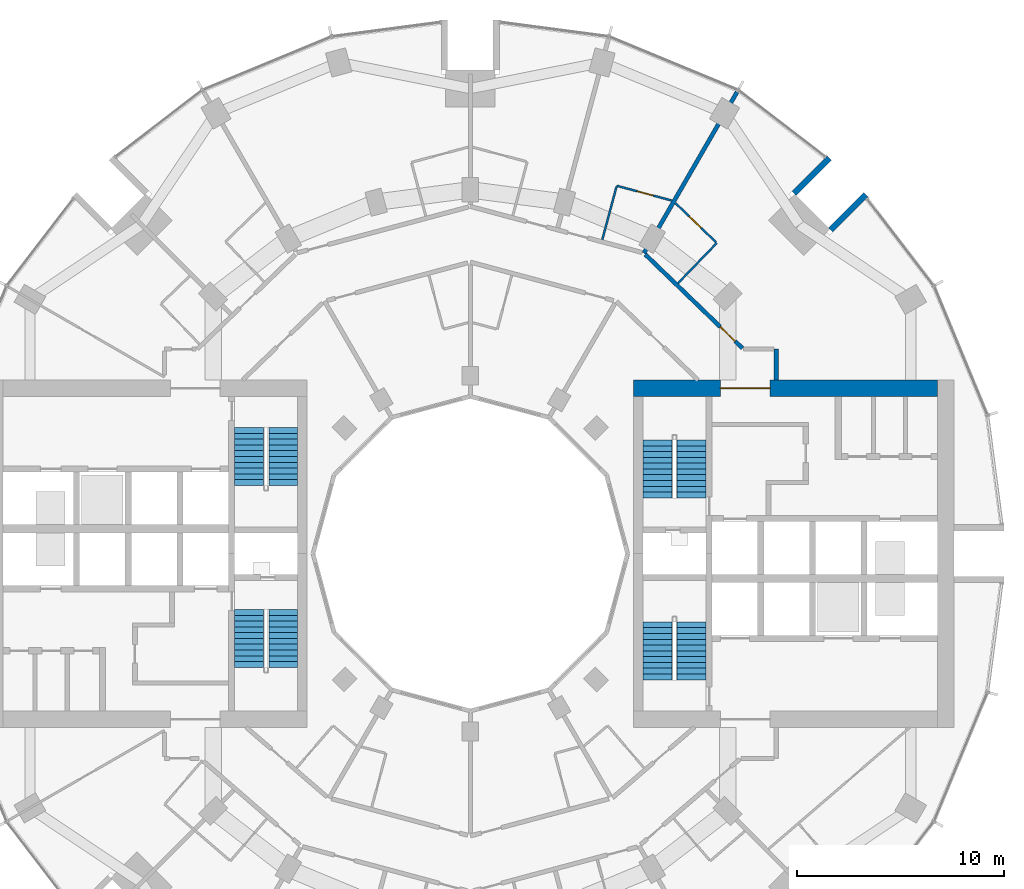
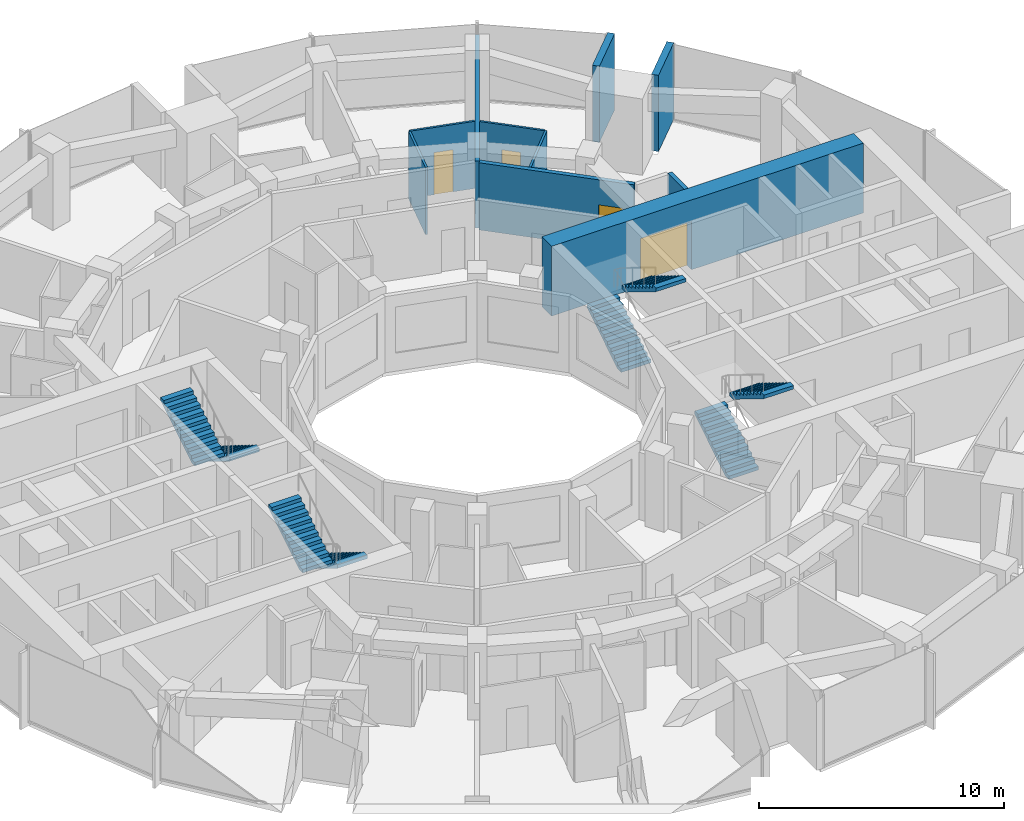
# One storey, part 13 of 15: 10 walls, 8 stair flights, 4 doors, 4 openings, 4 elements without a shape of their own.
"""IFC4 building model written with IfcOpenShell, lengths in metres."""

from ifc_helpers import new_model, si_unit, direction, frame, frame_2d, origin, place, context, subcontext, project, spatial, polyline, rectangle, outline, extrude, material, layer, layer_set, type_object, element, fill, aggregate, save


model = new_model("IFC4")

# Units and contexts
model_context = context("Model", 3, precision=1e-05, world=origin(), true_north=direction((0.0, 1.0)))
body_context = subcontext(model_context, "Body", "Model", "MODEL_VIEW")
ifc_project = project(units=[si_unit("LENGTHUNIT", "METRE"), si_unit("AREAUNIT", "SQUARE_METRE"), si_unit("VOLUMEUNIT", "CUBIC_METRE"), si_unit("PLANEANGLEUNIT", "RADIAN"), si_unit("MASSUNIT", "GRAM", prefix="KILO")], contexts=[model_context])

# Site, building, storey
site_placement = place(None, origin())
site = spatial("IfcSite", under=ifc_project, at=site_placement, CompositionType="ELEMENT")
building_placement = place(site_placement, origin())
building = spatial("IfcBuilding", under=site, at=building_placement, Name="Torre Brocal", CompositionType="ELEMENT")
storey_placement = place(building_placement, frame((0.0, 0.0, 51.60009765625)))
storey = spatial("IfcBuildingStorey", under=building, at=storey_placement, Name="L11", CompositionType="ELEMENT", Elevation=51.60009765625)

# Wall, opening, door
ifc_material_1 = material(Name="Concrete C80", Category="concrete")
ifc_layer_1 = layer(ifc_material_1, 0.800048828125)
ifc_layer_set_1 = layer_set([ifc_layer_1], Name="Concrete C80")
wall_type_1 = type_object("IfcWallType", Name="CORE WALL 800 C80", PredefinedType="SHEAR", material=ifc_layer_set_1)
wall_1_placement = place(storey_placement, frame((87.89990234375, 83.0, 0.0), z_axis=(0.0, 0.0, 1.0), x_axis=(1.0, 0.0, 0.0)))
wall_1 = element("IfcWall", 1, at=wall_1_placement, inside=storey, type_object=wall_type_1, Name="Wall CW800-80", PredefinedType="SHEAR", context=body_context, shape_type="SweptSolid", body=[
    extrude(rectangle(XDim=14.7001953125, YDim=0.800048828125, at=frame_2d((7.35009765625, 0.0))), origin(), (0.0, 0.0, 1.0), 3.47998046875),
])
opening_1_placement = place(wall_1_placement, frame((4.199951171875, 0.0, 0.0)))
opening_1 = element("IfcOpeningElement", 2, at=opening_1_placement, cuts=wall_1, Name="Opening E-D27", PredefinedType="OPENING", context=body_context, shape_type="SweptSolid", body=[
    extrude(rectangle(XDim=2.39990234375, YDim=2.39990234375, at=frame_2d((1.199951171875, 1.199951171875))), frame((0.0, 0.409912109375, 0.0), z_axis=(0.0, -1.0, 0.0), x_axis=(1.0, 0.0, 0.0)), (0.0, 0.0, 1.0), 0.820068359375),
])
ifc_material_2 = material(Name="Steel A653", Category="steel")
door_type_1 = type_object("IfcDoorType", Name="DOUBLE FIRE DOOR FD90 2400X2400", OperationType="DOUBLE_DOOR_SINGLE_SWING", PredefinedType="DOOR", material=ifc_material_2)
door_1_placement = place(opening_1_placement, frame((2.39990234375, 0.0, 0.0), z_axis=(0.0, 0.0, 1.0), x_axis=(-1.0, 0.0, 0.0)))
door_1 = element("IfcDoor", 3, at=door_1_placement, inside=storey, type_object=door_type_1, Name="Door E-D27", OperationType="DOUBLE_DOOR_SINGLE_SWING", OverallHeight=2.39990234375, OverallWidth=2.39990234375, PredefinedType="DOOR", context=body_context, shape_type="SweptSolid", body=[
    extrude(rectangle(XDim=2.39990234375, YDim=2.39990234375, at=frame_2d((1.199951171875, 1.199951171875))), frame((0.0, 0.02490234375, 0.0), z_axis=(0.0, -1.0, 0.0), x_axis=(1.0, 0.0, 0.0)), (0.0, 0.0, 1.0), 0.050048828125),
])
fill(opening_1, door_1)

# Walls
ifc_material_3 = material(Name="Concrete C80", Category="concrete")
ifc_layer_2 = layer(ifc_material_3, 0.300048828125)
ifc_layer_set_2 = layer_set([ifc_layer_2], Name="Concrete C80")
wall_type_2 = type_object("IfcWallType", Name="NOTCH RETURN WALL 300 C80", PredefinedType="NOTDEFINED", material=ifc_layer_set_2)
for number, where, z_axis, x_axis, name in (
    (4, (97.43017578125, 90.662353515625, 0.0), (0.0, 0.0, 1.0), (0.707106781187, 0.707106781187, 0.0), "NOTCH RETURN WALL"),
    (5, (95.662353515625, 92.43017578125, 0.0), (0.0, 0.0, 1.0), (0.707106781187, 0.707106781187, 0.0), "NOTCH RETURN WALL"),
):
    element("IfcWall", number, at=place(storey_placement, frame(where, z_axis=z_axis, x_axis=x_axis)), inside=storey, type_object=wall_type_2, Name=name, PredefinedType="NOTDEFINED", context=body_context, shape_type="SweptSolid", body=[
        extrude(rectangle(XDim=2.415771484375, YDim=0.300048828125, at=frame_2d((1.2080078125, 0.0))), origin(), (0.0, 0.0, 1.0), 3.7998046875),
    ])
ifc_material_4 = material(Name="Gypsum board", Category="Gypsum")
ifc_layer_3 = layer(ifc_material_4, 0.10009765625)
ifc_layer_set_3 = layer_set([ifc_layer_3], Name="Gypsum board")
wall_type_3 = type_object("IfcWallType", Name="PARTITION 100", PredefinedType="PARTITIONING", material=ifc_layer_set_3)
wall_2_placement = place(storey_placement, frame((86.3837890625, 90.189697265625, 0.0), z_axis=(0.0, 0.0, 1.0), x_axis=(0.258677737588, 0.965963678446, 0.0)))
element("IfcWall", 6, at=wall_2_placement, inside=storey, type_object=wall_type_3, Name="BATHROOM WALL", PredefinedType="PARTITIONING", context=body_context, shape_type="SweptSolid", body=[
    extrude(rectangle(XDim=2.649169921875, YDim=0.10009765625, at=frame_2d((1.32470703125, 0.0))), origin(), (0.0, 0.0, 1.0), 3.349853515625),
])

# Wall, opening, door
wall_3_placement = place(storey_placement, frame((87.081787109375, 92.796875, 0.0), z_axis=(0.0, 0.0, 1.0), x_axis=(0.965892621415, -0.258942935598, 0.0)))
wall_3 = element("IfcWall", 7, at=wall_3_placement, inside=storey, type_object=wall_type_3, Name="BATHROOM WALL", PredefinedType="PARTITIONING", context=body_context, shape_type="SweptSolid", body=[
    extrude(rectangle(XDim=2.753173828125, YDim=0.10009765625, at=frame_2d((1.37646484375, 0.0))), origin(), (0.0, 0.0, 1.0), 3.349853515625),
])
opening_2_placement = place(wall_3_placement, frame((1.03173828125, 0.0, 0.0)))
opening_2 = element("IfcOpeningElement", 8, at=opening_2_placement, cuts=wall_3, Name="Opening H03-D04", PredefinedType="OPENING", context=body_context, shape_type="SweptSolid", body=[
    extrude(rectangle(XDim=0.800048828125, YDim=2.10009765625, at=frame_2d((0.39990234375, 1.050048828125))), frame((0.0, 0.06005859375, 0.0), z_axis=(0.0, -1.0, 0.0), x_axis=(1.0, 0.0, 0.0)), (0.0, 0.0, 1.0), 0.1201171875),
])
ifc_material_5 = material(Name="Timber", Category="wood")
door_type_2 = type_object("IfcDoorType", Name="BATHROOM DOOR 800X2100", OperationType="SINGLE_SWING_LEFT", PredefinedType="DOOR", material=ifc_material_5)
door_2_placement = place(opening_2_placement, frame((0.800048828125, 0.0, 0.0), z_axis=(0.0, 0.0, 1.0), x_axis=(-1.0, 0.0, 0.0)))
door_2 = element("IfcDoor", 9, at=door_2_placement, inside=storey, type_object=door_type_2, Name="H03-D04", OperationType="SINGLE_SWING_LEFT", OverallHeight=2.10009765625, OverallWidth=0.800048828125, PredefinedType="DOOR", context=body_context, shape_type="SweptSolid", body=[
    extrude(rectangle(XDim=0.800048828125, YDim=2.10009765625, at=frame_2d((0.39990234375, 1.050048828125))), frame((0.0, 0.02490234375, 0.0), z_axis=(0.0, -1.0, 0.0), x_axis=(1.0, 0.0, 0.0)), (0.0, 0.0, 1.0), 0.050048828125),
])
fill(opening_2, door_2)

wall_4_placement = place(storey_placement, frame((89.9248046875, 91.956298828125, 0.0), z_axis=(0.0, 0.0, 1.0), x_axis=(0.719395291255, -0.694600903339, 0.0)))
wall_4 = element("IfcWall", 10, at=wall_4_placement, inside=storey, type_object=wall_type_3, Name="BATHROOM WALL", PredefinedType="PARTITIONING", context=body_context, shape_type="SweptSolid", body=[
    extrude(rectangle(XDim=2.7275390625, YDim=0.10009765625, at=frame_2d((1.36376953125, 0.0))), origin(), (0.0, 0.0, 1.0), 3.349853515625),
])
opening_3_placement = place(wall_4_placement, frame((0.928466796875, 0.0, 0.0)))
opening_3 = element("IfcOpeningElement", 11, at=opening_3_placement, cuts=wall_4, Name="Opening H03-D02", PredefinedType="OPENING", context=body_context, shape_type="SweptSolid", body=[
    extrude(rectangle(XDim=0.800048828125, YDim=2.10009765625, at=frame_2d((0.39990234375, 1.050048828125))), frame((0.0, 0.06005859375, 0.0), z_axis=(0.0, -1.0, 0.0), x_axis=(1.0, 0.0, 0.0)), (0.0, 0.0, 1.0), 0.1201171875),
])
door_3_placement = place(opening_3_placement, frame((0.800048828125, 0.0, 0.0), z_axis=(0.0, 0.0, 1.0), x_axis=(-1.0, 0.0, 0.0)))
door_3 = element("IfcDoor", 12, at=door_3_placement, inside=storey, type_object=door_type_2, Name="H03-D02", OperationType="SINGLE_SWING_RIGHT", OverallHeight=2.10009765625, OverallWidth=0.800048828125, PredefinedType="DOOR", context=body_context, shape_type="SweptSolid", body=[
    extrude(rectangle(XDim=0.800048828125, YDim=2.10009765625, at=frame_2d((0.39990234375, 1.050048828125))), frame((0.0, 0.02490234375, 0.0), z_axis=(0.0, -1.0, 0.0), x_axis=(1.0, 0.0, 0.0)), (0.0, 0.0, 1.0), 0.050048828125),
])
fill(opening_3, door_3)

# Wall
wall_5_placement = place(storey_placement, frame((90.047607421875, 88.0849609375, 0.0), z_axis=(0.0, 0.0, 1.0), x_axis=(0.694655834207, 0.71934224956, 0.0)))
element("IfcWall", 13, at=wall_5_placement, inside=storey, type_object=wall_type_3, Name="BATHROOM WALL", PredefinedType="PARTITIONING", context=body_context, shape_type="SweptSolid", body=[
    extrude(rectangle(XDim=2.699951171875, YDim=0.10009765625, at=frame_2d((1.35009765625, 0.0))), origin(), (0.0, 0.0, 1.0), 3.349853515625),
])

# Wall, opening, door
ifc_material_6 = material(Name="Gypsum board", Category="Gypsum")
ifc_layer_4 = layer(ifc_material_6, 0.199951171875)
ifc_layer_set_4 = layer_set([ifc_layer_4], Name="Gypsum board")
wall_type_4 = type_object("IfcWallType", Name="PARTITION 200 EI60", PredefinedType="PARTITIONING", material=ifc_layer_set_4)
wall_6_placement = place(storey_placement, frame((88.4658203125, 89.47314453125, 0.0), z_axis=(0.0, 0.0, 1.0), x_axis=(0.719346014649, -0.694651935295, 0.0)))
wall_6 = element("IfcWall", 14, at=wall_6_placement, inside=storey, type_object=wall_type_4, Name="GUESTROOM CORRIDOR WALL", PredefinedType="PARTITIONING", context=body_context, shape_type="SweptSolid", body=[
    extrude(rectangle(XDim=6.525146484375, YDim=0.199951171875, at=frame_2d((3.2626953125, 0.0))), origin(), (0.0, 0.0, 1.0), 3.349853515625),
])
opening_4_placement = place(wall_6_placement, frame((5.034423828125, 0.0, 0.0)))
opening_4 = element("IfcOpeningElement", 15, at=opening_4_placement, cuts=wall_6, Name="Opening H03-D01", PredefinedType="OPENING", context=body_context, shape_type="SweptSolid", body=[
    extrude(rectangle(XDim=1.0, YDim=2.10009765625, at=frame_2d((0.5, 1.050048828125))), frame((0.0, 0.10986328125, 0.0), z_axis=(0.0, -1.0, 0.0), x_axis=(1.0, 0.0, 0.0)), (0.0, 0.0, 1.0), 0.219970703125),
])
ifc_material_7 = material(Name="Timber", Category="wood")
door_type_3 = type_object("IfcDoorType", Name="FLAT ENTRY DOOR FD30S 1000X2100", OperationType="SINGLE_SWING_RIGHT", PredefinedType="DOOR", material=ifc_material_7)
door_4_placement = place(opening_4_placement, origin())
door_4 = element("IfcDoor", 16, at=door_4_placement, inside=storey, type_object=door_type_3, Name="H03-D01", OperationType="SINGLE_SWING_RIGHT", OverallHeight=2.10009765625, OverallWidth=1.0, PredefinedType="DOOR", context=body_context, shape_type="SweptSolid", body=[
    extrude(rectangle(XDim=1.0, YDim=2.10009765625, at=frame_2d((0.5, 1.050048828125))), frame((0.0, 0.02490234375, 0.0), z_axis=(0.0, -1.0, 0.0), x_axis=(1.0, 0.0, 0.0)), (0.0, 0.0, 1.0), 0.050048828125),
])
fill(opening_4, door_4)

# Walls
wall_7_placement = place(storey_placement, frame((88.3994140625, 89.538330078125, 0.0), z_axis=(0.0, 0.0, 1.0), x_axis=(0.500249596464, 0.865881251233, 0.0)))
element("IfcWall", 17, at=wall_7_placement, inside=storey, type_object=wall_type_4, Name="BATHROOM WALL", PredefinedType="PARTITIONING", context=body_context, shape_type="SweptSolid", body=[
    extrude(rectangle(XDim=9.00634765625, YDim=0.199951171875, at=frame_2d((4.503173828125, 0.0))), origin(), (0.0, 0.0, 1.0), 3.349853515625),
])
wall_8_placement = place(storey_placement, frame((94.800048828125, 83.40087890625, 0.0), z_axis=(0.0, 0.0, 1.0), x_axis=(0.0, 1.0, 0.0)))
element("IfcWall", 18, at=wall_8_placement, inside=storey, type_object=wall_type_4, Name="GUESTROOM CORRIDOR WALL", PredefinedType="PARTITIONING", context=body_context, shape_type="SweptSolid", body=[
    extrude(rectangle(XDim=1.4990234375, YDim=0.199951171875, at=frame_2d((0.74951171875, 0.0))), origin(), (0.0, 0.0, 1.0), 3.349853515625),
])

# Stair, stair flights
ifc_material_8 = material(Name="Concrete C50", Category="concrete")
stair_type = type_object("IfcStairType", Name="EXIT STAIR", PredefinedType="HALF_TURN_STAIR", material=ifc_material_8)
stair_1_placement = place(storey_placement, origin())
stair_1 = element("IfcStair", 19, at=stair_1_placement, inside=storey, type_object=stair_type, Name="EXIT STAIR ST1", PredefinedType="HALF_TURN_STAIR")
ifc_material_9 = material(Name="Concrete C50", Category="concrete")
ifc_layer_5 = layer(ifc_material_9, 0.14990234375)
ifc_layer_set_5 = layer_set([ifc_layer_5], Name="Concrete C50")
stair_flight_type = type_object("IfcStairFlightType", Name="STAIR FLIGHT", PredefinedType="STRAIGHT", material=ifc_layer_set_5)
stair_flight_1_placement = place(storey_placement, frame((89.050048828125, 77.699951171875, 0.0), z_axis=(0.0, 0.0, 1.0), x_axis=(0.0, 1.0, 0.0)))
stair_flight_1 = element("IfcStairFlight", 20, at=stair_flight_1_placement, type_object=stair_flight_type, Name="ST1 flight 1", NumberOfRisers=11, NumberOfTreads=10, PredefinedType="STRAIGHT", RiserHeight=0.172727273, TreadLength=0.28, context=body_context, shape_type="SweptSolid", body=[
    extrude(outline(polyline([(0.0, 0.0), (0.0, 0.172607421875), (0.280029296875, 0.172607421875), (0.280029296875, 0.345458984375), (0.56005859375, 0.345458984375), (0.56005859375, 0.51806640625), (0.840087890625, 0.51806640625), (0.840087890625, 0.69091796875), (1.1201171875, 0.69091796875), (1.1201171875, 0.863525390625), (1.39990234375, 0.863525390625), (1.39990234375, 1.036376953125), (1.679931640625, 1.036376953125), (1.679931640625, 1.208984375), (1.9599609375, 1.208984375), (1.9599609375, 1.3818359375), (2.239990234375, 1.3818359375), (2.239990234375, 1.554443359375), (2.52001953125, 1.554443359375), (2.52001953125, 1.727294921875), (2.800048828125, 1.727294921875), (2.800048828125, 1.89990234375), (2.800048828125, 1.551025390625), (0.285400390625, 0.0), (0.0, 0.0)])), frame((0.0, 0.699951171875, 0.0), z_axis=(0.0, -1.0, 0.0), x_axis=(1.0, 0.0, 0.0)), (0.0, 0.0, 1.0), 1.39990234375),
])
stair_flight_2_placement = place(storey_placement, frame((90.699951171875, 80.5, 1.89990234375), z_axis=(0.0, 0.0, 1.0), x_axis=(0.0, -1.0, 0.0)))
stair_flight_2 = element("IfcStairFlight", 21, at=stair_flight_2_placement, type_object=stair_flight_type, Name="ST1 flight 2", NumberOfRisers=11, NumberOfTreads=10, PredefinedType="STRAIGHT", RiserHeight=0.172727273, TreadLength=0.28, context=body_context, shape_type="SweptSolid", body=[
    extrude(outline(polyline([(0.0, 0.0), (0.0, 0.172607421875), (0.280029296875, 0.172607421875), (0.280029296875, 0.345458984375), (0.56005859375, 0.345458984375), (0.56005859375, 0.51806640625), (0.840087890625, 0.51806640625), (0.840087890625, 0.69091796875), (1.1201171875, 0.69091796875), (1.1201171875, 0.863525390625), (1.39990234375, 0.863525390625), (1.39990234375, 1.036376953125), (1.679931640625, 1.036376953125), (1.679931640625, 1.208984375), (1.9599609375, 1.208984375), (1.9599609375, 1.3818359375), (2.239990234375, 1.3818359375), (2.239990234375, 1.554443359375), (2.52001953125, 1.554443359375), (2.52001953125, 1.727294921875), (2.800048828125, 1.727294921875), (2.800048828125, 1.89990234375), (2.800048828125, 1.551025390625), (0.285400390625, 0.0), (0.0, 0.0)])), frame((0.0, 0.699951171875, 0.0), z_axis=(0.0, -1.0, 0.0), x_axis=(1.0, 0.0, 0.0)), (0.0, 0.0, 1.0), 1.39990234375),
])
aggregate(stair_1, [stair_flight_1, stair_flight_2])

stair_2_placement = place(storey_placement, origin())
stair_2 = element("IfcStair", 22, at=stair_2_placement, inside=storey, type_object=stair_type, Name="EXIT STAIR ST2", PredefinedType="HALF_TURN_STAIR")
stair_flight_3_placement = place(storey_placement, frame((89.050048828125, 68.89990234375, 0.0), z_axis=(0.0, 0.0, 1.0), x_axis=(0.0, 1.0, 0.0)))
stair_flight_3 = element("IfcStairFlight", 23, at=stair_flight_3_placement, type_object=stair_flight_type, Name="ST2 flight 1", NumberOfRisers=11, NumberOfTreads=10, PredefinedType="STRAIGHT", RiserHeight=0.172727273, TreadLength=0.28, context=body_context, shape_type="SweptSolid", body=[
    extrude(outline(polyline([(0.0, 0.0), (0.0, 0.172607421875), (0.280029296875, 0.172607421875), (0.280029296875, 0.345458984375), (0.56005859375, 0.345458984375), (0.56005859375, 0.51806640625), (0.840087890625, 0.51806640625), (0.840087890625, 0.69091796875), (1.1201171875, 0.69091796875), (1.1201171875, 0.863525390625), (1.39990234375, 0.863525390625), (1.39990234375, 1.036376953125), (1.679931640625, 1.036376953125), (1.679931640625, 1.208984375), (1.9599609375, 1.208984375), (1.9599609375, 1.3818359375), (2.239990234375, 1.3818359375), (2.239990234375, 1.554443359375), (2.52001953125, 1.554443359375), (2.52001953125, 1.727294921875), (2.800048828125, 1.727294921875), (2.800048828125, 1.89990234375), (2.800048828125, 1.551025390625), (0.285400390625, 0.0), (0.0, 0.0)])), frame((0.0, 0.699951171875, 0.0), z_axis=(0.0, -1.0, 0.0), x_axis=(1.0, 0.0, 0.0)), (0.0, 0.0, 1.0), 1.39990234375),
])
stair_flight_4_placement = place(storey_placement, frame((90.699951171875, 71.699951171875, 1.89990234375), z_axis=(0.0, 0.0, 1.0), x_axis=(0.0, -1.0, 0.0)))
stair_flight_4 = element("IfcStairFlight", 24, at=stair_flight_4_placement, type_object=stair_flight_type, Name="ST2 flight 2", NumberOfRisers=11, NumberOfTreads=10, PredefinedType="STRAIGHT", RiserHeight=0.172727273, TreadLength=0.28, context=body_context, shape_type="SweptSolid", body=[
    extrude(outline(polyline([(0.0, 0.0), (0.0, 0.172607421875), (0.280029296875, 0.172607421875), (0.280029296875, 0.345458984375), (0.56005859375, 0.345458984375), (0.56005859375, 0.51806640625), (0.840087890625, 0.51806640625), (0.840087890625, 0.69091796875), (1.1201171875, 0.69091796875), (1.1201171875, 0.863525390625), (1.39990234375, 0.863525390625), (1.39990234375, 1.036376953125), (1.679931640625, 1.036376953125), (1.679931640625, 1.208984375), (1.9599609375, 1.208984375), (1.9599609375, 1.3818359375), (2.239990234375, 1.3818359375), (2.239990234375, 1.554443359375), (2.52001953125, 1.554443359375), (2.52001953125, 1.727294921875), (2.800048828125, 1.727294921875), (2.800048828125, 1.89990234375), (2.800048828125, 1.551025390625), (0.285400390625, 0.0), (0.0, 0.0)])), frame((0.0, 0.699951171875, 0.0), z_axis=(0.0, -1.0, 0.0), x_axis=(1.0, 0.0, 0.0)), (0.0, 0.0, 1.0), 1.39990234375),
])
aggregate(stair_2, [stair_flight_3, stair_flight_4])

stair_3_placement = place(storey_placement, origin())
stair_3 = element("IfcStair", 25, at=stair_3_placement, inside=storey, type_object=stair_type, Name="EXIT STAIR ST3", PredefinedType="HALF_TURN_STAIR")
stair_flight_5_placement = place(storey_placement, frame((70.949951171875, 72.300048828125, 0.0), z_axis=(0.0, 0.0, 1.0), x_axis=(0.0, -1.0, 0.0)))
stair_flight_5 = element("IfcStairFlight", 26, at=stair_flight_5_placement, type_object=stair_flight_type, Name="ST3 flight 1", NumberOfRisers=11, NumberOfTreads=10, PredefinedType="STRAIGHT", RiserHeight=0.172727273, TreadLength=0.28, context=body_context, shape_type="SweptSolid", body=[
    extrude(outline(polyline([(0.0, 0.0), (0.0, 0.172607421875), (0.280029296875, 0.172607421875), (0.280029296875, 0.345458984375), (0.56005859375, 0.345458984375), (0.56005859375, 0.51806640625), (0.840087890625, 0.51806640625), (0.840087890625, 0.69091796875), (1.1201171875, 0.69091796875), (1.1201171875, 0.863525390625), (1.39990234375, 0.863525390625), (1.39990234375, 1.036376953125), (1.679931640625, 1.036376953125), (1.679931640625, 1.208984375), (1.9599609375, 1.208984375), (1.9599609375, 1.3818359375), (2.239990234375, 1.3818359375), (2.239990234375, 1.554443359375), (2.52001953125, 1.554443359375), (2.52001953125, 1.727294921875), (2.800048828125, 1.727294921875), (2.800048828125, 1.89990234375), (2.800048828125, 1.551025390625), (0.285400390625, 0.0), (0.0, 0.0)])), frame((0.0, 0.699951171875, 0.0), z_axis=(0.0, -1.0, 0.0), x_axis=(1.0, 0.0, 0.0)), (0.0, 0.0, 1.0), 1.39990234375),
])
stair_flight_6_placement = place(storey_placement, frame((69.300048828125, 69.5, 1.89990234375), z_axis=(0.0, 0.0, 1.0), x_axis=(0.0, 1.0, 0.0)))
stair_flight_6 = element("IfcStairFlight", 27, at=stair_flight_6_placement, type_object=stair_flight_type, Name="ST3 flight 2", NumberOfRisers=11, NumberOfTreads=10, PredefinedType="STRAIGHT", RiserHeight=0.172727273, TreadLength=0.28, context=body_context, shape_type="SweptSolid", body=[
    extrude(outline(polyline([(0.0, 0.0), (0.0, 0.172607421875), (0.280029296875, 0.172607421875), (0.280029296875, 0.345458984375), (0.56005859375, 0.345458984375), (0.56005859375, 0.51806640625), (0.840087890625, 0.51806640625), (0.840087890625, 0.69091796875), (1.1201171875, 0.69091796875), (1.1201171875, 0.863525390625), (1.39990234375, 0.863525390625), (1.39990234375, 1.036376953125), (1.679931640625, 1.036376953125), (1.679931640625, 1.208984375), (1.9599609375, 1.208984375), (1.9599609375, 1.3818359375), (2.239990234375, 1.3818359375), (2.239990234375, 1.554443359375), (2.52001953125, 1.554443359375), (2.52001953125, 1.727294921875), (2.800048828125, 1.727294921875), (2.800048828125, 1.89990234375), (2.800048828125, 1.551025390625), (0.285400390625, 0.0), (0.0, 0.0)])), frame((0.0, 0.699951171875, 0.0), z_axis=(0.0, -1.0, 0.0), x_axis=(1.0, 0.0, 0.0)), (0.0, 0.0, 1.0), 1.39990234375),
])
aggregate(stair_3, [stair_flight_5, stair_flight_6])

stair_4_placement = place(storey_placement, origin())
stair_4 = element("IfcStair", 28, at=stair_4_placement, inside=storey, type_object=stair_type, Name="EXIT STAIR ST4", PredefinedType="HALF_TURN_STAIR")
stair_flight_7_placement = place(storey_placement, frame((70.949951171875, 81.10009765625, 0.0), z_axis=(0.0, 0.0, 1.0), x_axis=(0.0, -1.0, 0.0)))
stair_flight_7 = element("IfcStairFlight", 29, at=stair_flight_7_placement, type_object=stair_flight_type, Name="ST4 flight 1", NumberOfRisers=11, NumberOfTreads=10, PredefinedType="STRAIGHT", RiserHeight=0.172727273, TreadLength=0.28, context=body_context, shape_type="SweptSolid", body=[
    extrude(outline(polyline([(0.0, 0.0), (0.0, 0.172607421875), (0.280029296875, 0.172607421875), (0.280029296875, 0.345458984375), (0.56005859375, 0.345458984375), (0.56005859375, 0.51806640625), (0.840087890625, 0.51806640625), (0.840087890625, 0.69091796875), (1.1201171875, 0.69091796875), (1.1201171875, 0.863525390625), (1.39990234375, 0.863525390625), (1.39990234375, 1.036376953125), (1.679931640625, 1.036376953125), (1.679931640625, 1.208984375), (1.9599609375, 1.208984375), (1.9599609375, 1.3818359375), (2.239990234375, 1.3818359375), (2.239990234375, 1.554443359375), (2.52001953125, 1.554443359375), (2.52001953125, 1.727294921875), (2.800048828125, 1.727294921875), (2.800048828125, 1.89990234375), (2.800048828125, 1.551025390625), (0.285400390625, 0.0), (0.0, 0.0)])), frame((0.0, 0.699951171875, 0.0), z_axis=(0.0, -1.0, 0.0), x_axis=(1.0, 0.0, 0.0)), (0.0, 0.0, 1.0), 1.39990234375),
])
stair_flight_8_placement = place(storey_placement, frame((69.300048828125, 78.300048828125, 1.89990234375), z_axis=(0.0, 0.0, 1.0), x_axis=(0.0, 1.0, 0.0)))
stair_flight_8 = element("IfcStairFlight", 30, at=stair_flight_8_placement, type_object=stair_flight_type, Name="ST4 flight 2", NumberOfRisers=11, NumberOfTreads=10, PredefinedType="STRAIGHT", RiserHeight=0.172727273, TreadLength=0.28, context=body_context, shape_type="SweptSolid", body=[
    extrude(outline(polyline([(0.0, 0.0), (0.0, 0.172607421875), (0.280029296875, 0.172607421875), (0.280029296875, 0.345458984375), (0.56005859375, 0.345458984375), (0.56005859375, 0.51806640625), (0.840087890625, 0.51806640625), (0.840087890625, 0.69091796875), (1.1201171875, 0.69091796875), (1.1201171875, 0.863525390625), (1.39990234375, 0.863525390625), (1.39990234375, 1.036376953125), (1.679931640625, 1.036376953125), (1.679931640625, 1.208984375), (1.9599609375, 1.208984375), (1.9599609375, 1.3818359375), (2.239990234375, 1.3818359375), (2.239990234375, 1.554443359375), (2.52001953125, 1.554443359375), (2.52001953125, 1.727294921875), (2.800048828125, 1.727294921875), (2.800048828125, 1.89990234375), (2.800048828125, 1.551025390625), (0.285400390625, 0.0), (0.0, 0.0)])), frame((0.0, 0.699951171875, 0.0), z_axis=(0.0, -1.0, 0.0), x_axis=(1.0, 0.0, 0.0)), (0.0, 0.0, 1.0), 1.39990234375),
])
aggregate(stair_4, [stair_flight_7, stair_flight_8])

save(model, "model.ifc")
